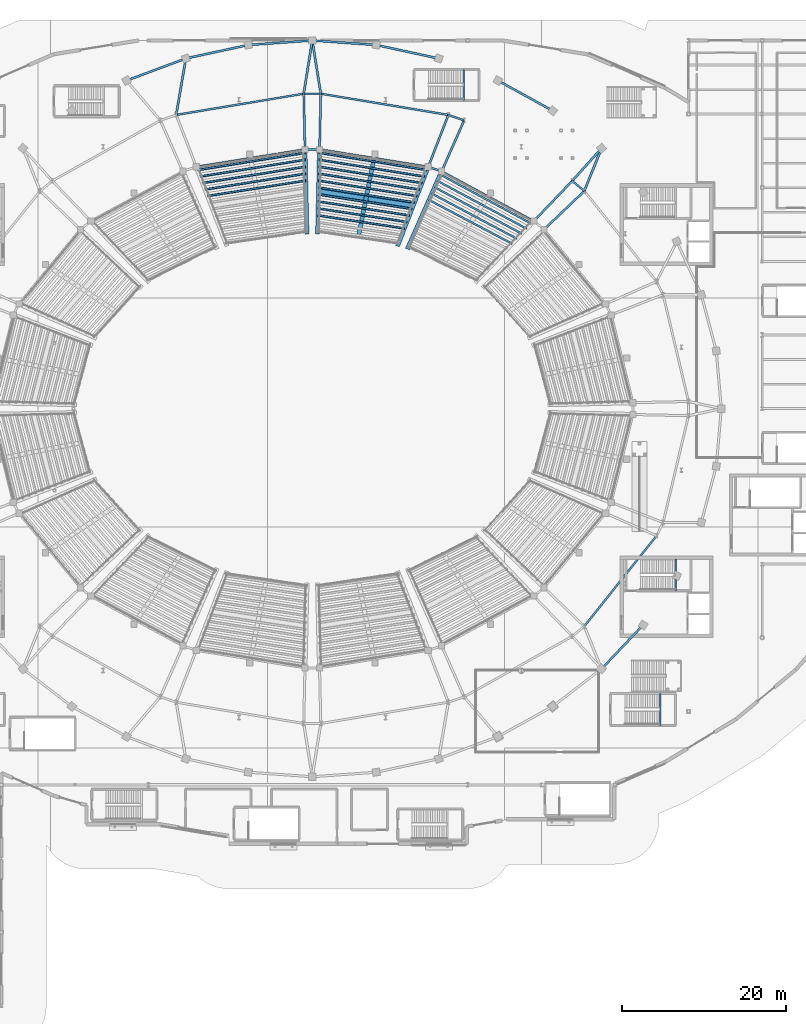
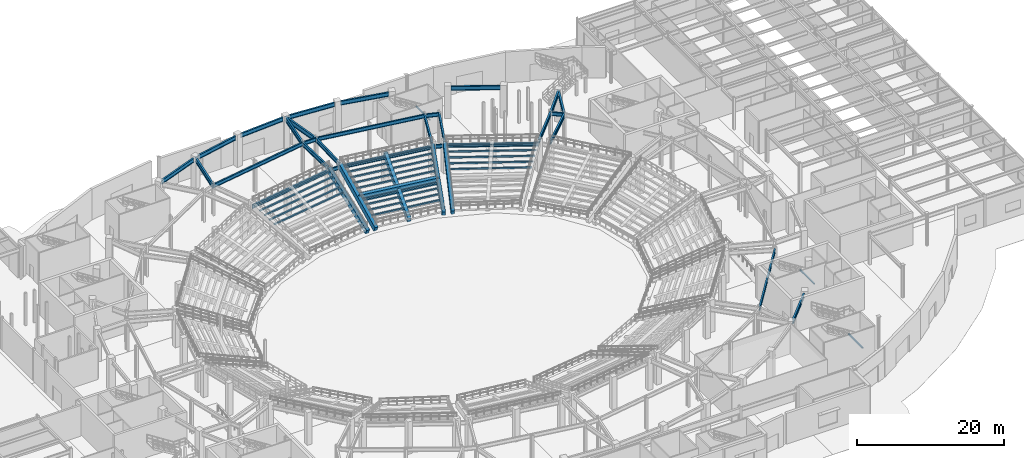
# One storey, part 37 of 79: 58 beams.
"""IFC4 building model written with IfcOpenShell, lengths in metres."""

from ifc_helpers import new_model, si_unit, direction, frame, origin, origin_2d, place, context, subcontext, project, spatial, rectangle, hollow_rectangle, i_section, extrude, material, material_profile, profile_set, type_object, element, save


model = new_model("IFC4")

# Units and contexts
model_context = context("Model", 3, precision=1e-05, world=origin(), true_north=direction((0.0, 1.0)))
body_context = subcontext(model_context, "Body", "Model", "MODEL_VIEW")
ifc_project = project(units=[si_unit("LENGTHUNIT", "METRE"), si_unit("AREAUNIT", "SQUARE_METRE"), si_unit("VOLUMEUNIT", "CUBIC_METRE"), si_unit("PLANEANGLEUNIT", "RADIAN"), si_unit("MASSUNIT", "GRAM", prefix="KILO")], contexts=[model_context])

# Site, building, storey
site_placement = place(None, origin())
site = spatial("IfcSite", under=ifc_project, at=site_placement, CompositionType="ELEMENT")
building_placement = place(site_placement, origin())
building = spatial("IfcBuilding", under=site, at=building_placement, Name="Glasvene Arena", CompositionType="ELEMENT")
storey_placement = place(building_placement, origin())
storey = spatial("IfcBuildingStorey", under=building, at=storey_placement, Name="L00", CompositionType="ELEMENT", Elevation=0.0)

# Beams
ifc_material_1 = material(Name="Steel S355J2", Category="steel")
ifc_material_profile_1 = material_profile(ifc_material_1, i_section(OverallWidth=0.228271484375, OverallDepth=0.607666015625, WebThickness=0.010986328125, FlangeThickness=0.017333984375, FilletRadius=0.0126953125, at=origin_2d()), Name="UKB 610x229x113")
ifc_profile_set_1 = profile_set([ifc_material_profile_1], Name="Steel S355J2")
beam_type_1 = type_object("IfcBeamType", Name="BM-GIRD-610", PredefinedType="BEAM", material=ifc_profile_set_1)
beam_1_placement = place(storey_placement, frame((125.256591796875, 99.59912109375, 4.81494140625), z_axis=(-0.766930434436, 0.641730246082, 0.0), x_axis=(-0.641730246082, -0.766930434436, 0.0)))
element("IfcBeam", 1, at=beam_1_placement, inside=storey, type_object=beam_type_1, Name="Concourse inner ring girder L00-04", PredefinedType="BEAM", context=body_context, shape_type="SweptSolid", body=[
    extrude(i_section(OverallWidth=0.228271484375, OverallDepth=0.607666015625, WebThickness=0.010986328125, FlangeThickness=0.017333984375, FilletRadius=0.0126953125, at=origin_2d()), origin(), (0.0, 0.0, 1.0), 1.924560546875),
])
beam_2_placement = place(storey_placement, frame((119.08251953125, 95.918212890625, 4.35009765625), z_axis=(-0.879784979892, 0.475371843042, 0.0), x_axis=(-0.475371843042, -0.879784979892, 0.0)))
element("IfcBeam", 2, at=beam_2_placement, inside=storey, type_object=beam_type_1, Name="Mid-bowl ring girder L00-05", PredefinedType="BEAM", context=body_context, shape_type="SweptSolid", body=[
    extrude(i_section(OverallWidth=0.228271484375, OverallDepth=0.607666015625, WebThickness=0.010986328125, FlangeThickness=0.017333984375, FilletRadius=0.0126953125, at=origin_2d()), origin(), (0.0, 0.0, 1.0), 12.802490234375),
])
beam_3_placement = place(storey_placement, frame((110.56298828125, 108.225830078125, 4.81494140625), z_axis=(-0.944798184006, 0.327652852114, 0.0), x_axis=(-0.327652852114, -0.944798184006, 0.0)))
element("IfcBeam", 3, at=beam_3_placement, inside=storey, type_object=beam_type_1, Name="Concourse inner ring girder L00-06", PredefinedType="BEAM", context=body_context, shape_type="SweptSolid", body=[
    extrude(i_section(OverallWidth=0.228271484375, OverallDepth=0.607666015625, WebThickness=0.010986328125, FlangeThickness=0.017333984375, FilletRadius=0.0126953125, at=origin_2d()), origin(), (0.0, 0.0, 1.0), 2.040771484375),
])
beam_4_placement = place(storey_placement, frame((107.819091796875, 102.004150390625, 4.35009765625), z_axis=(-0.948203248213, 0.317664288326, 0.0), x_axis=(-0.317664288326, -0.948203248213, 0.0)))
element("IfcBeam", 4, at=beam_4_placement, inside=storey, type_object=beam_type_1, Name="Mid-bowl ring girder L00-06", PredefinedType="BEAM", context=body_context, shape_type="SweptSolid", body=[
    extrude(i_section(OverallWidth=0.228271484375, OverallDepth=0.607666015625, WebThickness=0.010986328125, FlangeThickness=0.017333984375, FilletRadius=0.0126953125, at=origin_2d()), origin(), (0.0, 0.0, 1.0), 1.733154296875),
])
beam_5_placement = place(storey_placement, frame((108.634765625, 108.89453125, 4.81494140625), z_axis=(-0.986425216298, 0.164211122194, 0.0), x_axis=(-0.164211122194, -0.986425216298, 0.0)))
element("IfcBeam", 5, at=beam_5_placement, inside=storey, type_object=beam_type_1, Name="Concourse inner ring girder L00-07", PredefinedType="BEAM", context=body_context, shape_type="SweptSolid", body=[
    extrude(i_section(OverallWidth=0.228271484375, OverallDepth=0.607666015625, WebThickness=0.010986328125, FlangeThickness=0.017333984375, FilletRadius=0.0126953125, at=origin_2d()), origin(), (0.0, 0.0, 1.0), 15.8056640625),
])
beam_6_placement = place(storey_placement, frame((106.17578125, 102.5546875, 4.35009765625), z_axis=(-0.987308283351, 0.15881547036, 0.0), x_axis=(-0.15881547036, -0.987308283351, 0.0)))
element("IfcBeam", 6, at=beam_6_placement, inside=storey, type_object=beam_type_1, Name="Mid-bowl ring girder L00-07", PredefinedType="BEAM", context=body_context, shape_type="SweptSolid", body=[
    extrude(i_section(OverallWidth=0.228271484375, OverallDepth=0.607666015625, WebThickness=0.010986328125, FlangeThickness=0.017333984375, FilletRadius=0.0126953125, at=origin_2d()), origin(), (0.0, 0.0, 1.0), 13.457275390625),
])
beam_7_placement = place(storey_placement, frame((93.043701171875, 111.489990234375, 4.81494140625), z_axis=(-1.0, 0.0, 0.0), x_axis=(0.0, -1.0, 0.0)))
element("IfcBeam", 7, at=beam_7_placement, inside=storey, type_object=beam_type_1, Name="Concourse inner ring girder L00-08", PredefinedType="BEAM", context=body_context, shape_type="SweptSolid", body=[
    extrude(i_section(OverallWidth=0.228271484375, OverallDepth=0.607666015625, WebThickness=0.010986328125, FlangeThickness=0.017333984375, FilletRadius=0.0126953125, at=origin_2d()), origin(), (0.0, 0.0, 1.0), 2.08740234375),
])
beam_8_placement = place(storey_placement, frame((92.889404296875, 104.69189453125, 4.35009765625), z_axis=(-1.0, 0.0, 0.0), x_axis=(0.0, -1.0, 0.0)))
element("IfcBeam", 8, at=beam_8_placement, inside=storey, type_object=beam_type_1, Name="Mid-bowl ring girder L00-08", PredefinedType="BEAM", context=body_context, shape_type="SweptSolid", body=[
    extrude(i_section(OverallWidth=0.228271484375, OverallDepth=0.607666015625, WebThickness=0.010986328125, FlangeThickness=0.017333984375, FilletRadius=0.0126953125, at=origin_2d()), origin(), (0.0, 0.0, 1.0), 1.77880859375),
])
beam_9_placement = place(storey_placement, frame((90.956298828125, 111.489990234375, 4.81494140625), z_axis=(-0.986425216298, -0.164211122194, 0.0), x_axis=(0.164211122194, -0.986425216298, 0.0)))
element("IfcBeam", 9, at=beam_9_placement, inside=storey, type_object=beam_type_1, Name="Concourse inner ring girder L00-09", PredefinedType="BEAM", context=body_context, shape_type="SweptSolid", body=[
    extrude(i_section(OverallWidth=0.228271484375, OverallDepth=0.607666015625, WebThickness=0.010986328125, FlangeThickness=0.017333984375, FilletRadius=0.0126953125, at=origin_2d()), origin(), (0.0, 0.0, 1.0), 15.8056640625),
])
beam_10_placement = place(storey_placement, frame((91.110595703125, 104.69189453125, 4.35009765625), z_axis=(-0.987308283351, -0.15881547036, 0.0), x_axis=(0.15881547036, -0.987308283351, 0.0)))
element("IfcBeam", 10, at=beam_10_placement, inside=storey, type_object=beam_type_1, Name="Mid-bowl ring girder L00-09", PredefinedType="BEAM", context=body_context, shape_type="SweptSolid", body=[
    extrude(i_section(OverallWidth=0.228271484375, OverallDepth=0.607666015625, WebThickness=0.010986328125, FlangeThickness=0.017333984375, FilletRadius=0.0126953125, at=origin_2d()), origin(), (0.0, 0.0, 1.0), 13.457275390625),
])
beam_11_placement = place(storey_placement, frame((125.256591796875, 46.40087890625, 4.81494140625), z_axis=(0.623899670594, 0.781504447226, 0.0), x_axis=(-0.781504447226, 0.623899670594, 0.0)))
element("IfcBeam", 11, at=beam_11_placement, inside=storey, type_object=beam_type_1, Name="Concourse inner ring girder L00-29", PredefinedType="BEAM", context=body_context, shape_type="SweptSolid", body=[
    extrude(i_section(OverallWidth=0.228271484375, OverallDepth=0.607666015625, WebThickness=0.010986328125, FlangeThickness=0.017333984375, FilletRadius=0.0126953125, at=origin_2d()), origin(), (0.0, 0.0, 1.0), 14.1552734375),
])
ifc_material_profile_2 = material_profile(ifc_material_1, i_section(OverallWidth=0.253662109375, OverallDepth=0.68359375, WebThickness=0.012451171875, FlangeThickness=0.01904296875, FilletRadius=0.01513671875, at=origin_2d()), Name="UKB 686x254x140")
ifc_profile_set_2 = profile_set([ifc_material_profile_2], Name="Steel S355J2")
beam_type_2 = type_object("IfcBeamType", Name="BM-GIRD-686", PredefinedType="BEAM", material=ifc_profile_set_2)
beam_12_placement = place(storey_placement, frame((121.021484375, 109.608642578125, 4.7783203125), z_axis=(-0.875645230087, 0.482954895436, 0.0), x_axis=(-0.482954895436, -0.875645230087, 0.0)))
element("IfcBeam", 12, at=beam_12_placement, inside=storey, type_object=beam_type_2, Name="Bowl ring chord beam L00-07", PredefinedType="BEAM", context=body_context, shape_type="SweptSolid", body=[
    extrude(i_section(OverallWidth=0.253662109375, OverallDepth=0.68359375, WebThickness=0.012451171875, FlangeThickness=0.01904296875, FilletRadius=0.01513671875, at=origin_2d()), origin(), (0.0, 0.0, 1.0), 6.799560546875),
])
beam_13_placement = place(storey_placement, frame((107.040283203125, 115.88623046875, 4.7783203125), z_axis=(-0.977438814508, 0.211218758382, 0.0), x_axis=(-0.211218758382, -0.977438814508, 0.0)))
element("IfcBeam", 13, at=beam_13_placement, inside=storey, type_object=beam_type_2, Name="Bowl ring chord beam L00-09", PredefinedType="BEAM", context=body_context, shape_type="SweptSolid", body=[
    extrude(i_section(OverallWidth=0.253662109375, OverallDepth=0.68359375, WebThickness=0.012451171875, FlangeThickness=0.01904296875, FilletRadius=0.01513671875, at=origin_2d()), origin(), (0.0, 0.0, 1.0), 6.96533203125),
])
for number, where, z_axis, x_axis, name in (
    (14, (99.402587890625, 117.4755859375, 4.7783203125), (-0.997501181168, 0.070649795247, 0.0), (-0.070649795247, -0.997501181168, 0.0), "Bowl ring chord beam L00-10"),
    (15, (91.5810546875, 117.97021484375, 4.7783203125), (-0.997501181168, -0.070649795247, 0.0), (0.070649795247, -0.997501181168, 0.0), "Bowl ring chord beam L00-11"),
):
    element("IfcBeam", number, at=place(storey_placement, frame(where, z_axis=z_axis, x_axis=x_axis)), inside=storey, type_object=beam_type_2, Name=name, PredefinedType="BEAM", context=body_context, shape_type="SweptSolid", body=[
        extrude(i_section(OverallWidth=0.253662109375, OverallDepth=0.68359375, WebThickness=0.012451171875, FlangeThickness=0.01904296875, FilletRadius=0.01513671875, at=origin_2d()), origin(), (0.0, 0.0, 1.0), 7.001220703125),
    ])
beam_14_placement = place(storey_placement, frame((83.767822265625, 117.357421875, 4.7783203125), z_axis=(-0.977438814508, -0.211218758382, 0.0), x_axis=(0.211218758382, -0.977438814508, 0.0)))
element("IfcBeam", 16, at=beam_14_placement, inside=storey, type_object=beam_type_2, Name="Bowl ring chord beam L00-12", PredefinedType="BEAM", context=body_context, shape_type="SweptSolid", body=[
    extrude(i_section(OverallWidth=0.253662109375, OverallDepth=0.68359375, WebThickness=0.012451171875, FlangeThickness=0.01904296875, FilletRadius=0.01513671875, at=origin_2d()), origin(), (0.0, 0.0, 1.0), 6.96533203125),
])
beam_15_placement = place(storey_placement, frame((76.15576171875, 115.65087890625, 4.7783203125), z_axis=(-0.937003971107, -0.349318705668, 0.0), x_axis=(0.349318705668, -0.937003971107, 0.0)))
element("IfcBeam", 17, at=beam_15_placement, inside=storey, type_object=beam_type_2, Name="Bowl ring chord beam L00-13", PredefinedType="BEAM", context=body_context, shape_type="SweptSolid", body=[
    extrude(i_section(OverallWidth=0.253662109375, OverallDepth=0.68359375, WebThickness=0.012451171875, FlangeThickness=0.01904296875, FilletRadius=0.01513671875, at=origin_2d()), origin(), (0.0, 0.0, 1.0), 6.89599609375),
])
beam_16_placement = place(storey_placement, frame((127.644287109375, 41.48486328125, 4.7783203125), z_axis=(0.688356315458, 0.725372720034, 0.0), x_axis=(-0.725372720034, 0.688356315458, 0.0)))
element("IfcBeam", 18, at=beam_16_placement, inside=storey, type_object=beam_type_2, Name="Bowl ring chord beam L00-36", PredefinedType="BEAM", context=body_context, shape_type="SweptSolid", body=[
    extrude(i_section(OverallWidth=0.253662109375, OverallDepth=0.68359375, WebThickness=0.012451171875, FlangeThickness=0.01904296875, FilletRadius=0.01513671875, at=origin_2d()), origin(), (0.0, 0.0, 1.0), 6.5625),
])
beam_17_placement = place(storey_placement, frame((120.34033203125, 94.90087890625, 4.7783203125), z_axis=(0.722955223934, 0.690894886496, 0.0), x_axis=(-0.690894886496, 0.722955223934, 0.0)))
element("IfcBeam", 19, at=beam_17_placement, inside=storey, type_object=beam_type_2, Name="Mid-to-rear radial girder L00-04", PredefinedType="BEAM", context=body_context, shape_type="SweptSolid", body=[
    extrude(i_section(OverallWidth=0.253662109375, OverallDepth=0.68359375, WebThickness=0.012451171875, FlangeThickness=0.01904296875, FilletRadius=0.01513671875, at=origin_2d()), origin(), (0.0, 0.0, 1.0), 6.80029296875),
])
for number, where, z_axis, x_axis, name in (
    (20, (119.08251953125, 95.918212890625, 4.7783203125), (0.690894054314, 0.722956019211, 0.0), (-0.722956019211, 0.690894054314, 0.0), "Mid-to-rear radial girder L00-05"),
    (21, (107.819091796875, 102.004150390625, 4.7783203125), (0.403521754761, 0.914970050567, 0.0), (-0.914970050567, 0.403521754761, 0.0), "Mid-to-rear radial girder L00-06"),
):
    element("IfcBeam", number, at=place(storey_placement, frame(where, z_axis=z_axis, x_axis=x_axis)), inside=storey, type_object=beam_type_2, Name=name, PredefinedType="BEAM", context=body_context, shape_type="SweptSolid", body=[
        extrude(i_section(OverallWidth=0.253662109375, OverallDepth=0.68359375, WebThickness=0.012451171875, FlangeThickness=0.01904296875, FilletRadius=0.01513671875, at=origin_2d()), origin(), (0.0, 0.0, 1.0), 6.7998046875),
    ])
beam_18_placement = place(storey_placement, frame((106.17578125, 102.5546875, 4.7783203125), z_axis=(0.361614477563, 0.932327715783, 0.0), x_axis=(-0.932327715783, 0.361614477563, 0.0)))
element("IfcBeam", 22, at=beam_18_placement, inside=storey, type_object=beam_type_2, Name="Mid-to-rear radial girder L00-07", PredefinedType="BEAM", context=body_context, shape_type="SweptSolid", body=[
    extrude(i_section(OverallWidth=0.253662109375, OverallDepth=0.68359375, WebThickness=0.012451171875, FlangeThickness=0.01904296875, FilletRadius=0.01513671875, at=origin_2d()), origin(), (0.0, 0.0, 1.0), 6.800048828125),
])
for number, where, z_axis, x_axis, name in (
    (23, (92.889404296875, 104.69189453125, 4.7783203125), (0.022691229062, 0.999742520914, 0.0), (-0.999742520914, 0.022691229062, 0.0), "Mid-to-rear radial girder L00-08"),
    (24, (91.110595703125, 104.69189453125, 4.7783203125), (-0.022691229062, 0.999742520914, 0.0), (-0.999742520914, -0.022691229062, 0.0), "Mid-to-rear radial girder L00-09"),
):
    element("IfcBeam", number, at=place(storey_placement, frame(where, z_axis=z_axis, x_axis=x_axis)), inside=storey, type_object=beam_type_2, Name=name, PredefinedType="BEAM", context=body_context, shape_type="SweptSolid", body=[
        extrude(i_section(OverallWidth=0.253662109375, OverallDepth=0.68359375, WebThickness=0.012451171875, FlangeThickness=0.01904296875, FilletRadius=0.01513671875, at=origin_2d()), origin(), (0.0, 0.0, 1.0), 6.7998046875),
    ])
ifc_material_profile_3 = material_profile(ifc_material_1, i_section(OverallWidth=0.2666015625, OverallDepth=0.76220703125, WebThickness=0.014404296875, FlangeThickness=0.021484375, FilletRadius=0.0166015625, at=origin_2d()), Name="UKB 762x267x173")
ifc_profile_set_3 = profile_set([ifc_material_profile_3], Name="Steel S355J2")
beam_type_3 = type_object("IfcBeamType", Name="BM-GIRD-762", PredefinedType="BEAM", material=ifc_profile_set_3)
beam_19_placement = place(storey_placement, frame((125.256591796875, 99.59912109375, 4.739013671875), z_axis=(0.372976095384, 0.927840952034, 0.0), x_axis=(-0.927840952034, 0.372976095384, 0.0)))
element("IfcBeam", 25, at=beam_19_placement, inside=storey, type_object=beam_type_3, Name="Radial concourse girder L00-04", PredefinedType="BEAM", context=body_context, shape_type="SweptSolid", body=[
    extrude(i_section(OverallWidth=0.2666015625, OverallDepth=0.76220703125, WebThickness=0.014404296875, FlangeThickness=0.021484375, FilletRadius=0.0166015625, at=origin_2d()), origin(), (0.0, 0.0, 1.0), 5.626708984375),
])
beam_20_placement = place(storey_placement, frame((123.780517578125, 100.834228515625, 4.739013671875), z_axis=(0.667691455448, 0.744438123904, 0.0), x_axis=(-0.744438123904, 0.667691455448, 0.0)))
element("IfcBeam", 26, at=beam_20_placement, inside=storey, type_object=beam_type_3, Name="Radial concourse girder L00-05", PredefinedType="BEAM", context=body_context, shape_type="SweptSolid", body=[
    extrude(i_section(OverallWidth=0.2666015625, OverallDepth=0.76220703125, WebThickness=0.014404296875, FlangeThickness=0.021484375, FilletRadius=0.0166015625, at=origin_2d()), origin(), (0.0, 0.0, 1.0), 5.353759765625),
])
for number, where, z_axis, x_axis, name in (
    (27, (93.043701171875, 111.489990234375, 4.739013671875), (-0.158300997848, 0.987390902369, 0.0), (-0.987390902369, -0.158300997848, 0.0), "Radial concourse girder L00-08"),
    (28, (90.956298828125, 111.489990234375, 4.739013671875), (0.158300997848, 0.987390902369, 0.0), (-0.987390902369, 0.158300997848, 0.0), "Radial concourse girder L00-09"),
):
    element("IfcBeam", number, at=place(storey_placement, frame(where, z_axis=z_axis, x_axis=x_axis)), inside=storey, type_object=beam_type_3, Name=name, PredefinedType="BEAM", context=body_context, shape_type="SweptSolid", body=[
        extrude(i_section(OverallWidth=0.2666015625, OverallDepth=0.76220703125, WebThickness=0.014404296875, FlangeThickness=0.021484375, FilletRadius=0.0166015625, at=origin_2d()), origin(), (0.0, 0.0, 1.0), 6.59326171875),
    ])
beam_21_placement = place(storey_placement, frame((75.365234375, 108.89453125, 4.739013671875), z_axis=(0.169060564867, 0.985605664253, 0.0), x_axis=(-0.985605664253, 0.169060564867, 0.0)))
element("IfcBeam", 29, at=beam_21_placement, inside=storey, type_object=beam_type_3, Name="Radial concourse girder L00-10", PredefinedType="BEAM", context=body_context, shape_type="SweptSolid", body=[
    extrude(i_section(OverallWidth=0.2666015625, OverallDepth=0.76220703125, WebThickness=0.014404296875, FlangeThickness=0.021484375, FilletRadius=0.0166015625, at=origin_2d()), origin(), (0.0, 0.0, 1.0), 7.00390625),
])
ifc_material_profile_4 = material_profile(ifc_material_1, hollow_rectangle(XDim=0.199951171875, YDim=0.199951171875, WallThickness=0.010009765625, at=origin_2d()), Name="SHS 200x200x10.0")
ifc_profile_set_4 = profile_set([ifc_material_profile_4], Name="Steel S355J2")
beam_type_4 = type_object("IfcBeamType", Name="BM-LINTEL-200", PredefinedType="LINTEL", material=ifc_profile_set_4)
beam_22_placement = place(storey_placement, frame((136.419921875, 50.72998046875, 2.3798828125), z_axis=(0.0, 1.0, 0.0), x_axis=(-1.0, 0.0, 0.0)))
element("IfcBeam", 30, at=beam_22_placement, inside=storey, type_object=beam_type_4, Name="Stair half-landing support beam ST-04-L00", PredefinedType="LINTEL", context=body_context, shape_type="SweptSolid", body=[
    extrude(hollow_rectangle(XDim=0.199951171875, YDim=0.199951171875, WallThickness=0.010009765625, at=origin_2d()), origin(), (0.0, 0.0, 1.0), 3.89013671875),
])
beam_23_placement = place(storey_placement, frame((134.52001953125, 34.280029296875, 2.3798828125), z_axis=(0.0, 1.0, 0.0), x_axis=(-1.0, 0.0, 0.0)))
element("IfcBeam", 31, at=beam_23_placement, inside=storey, type_object=beam_type_4, Name="Stair half-landing support beam ST-06-L00", PredefinedType="LINTEL", context=body_context, shape_type="SweptSolid", body=[
    extrude(hollow_rectangle(XDim=0.199951171875, YDim=0.199951171875, WallThickness=0.010009765625, at=origin_2d()), origin(), (0.0, 0.0, 1.0), 3.889892578125),
])
beam_24_placement = place(storey_placement, frame((110.52001953125, 110.679931640625, 2.3798828125), z_axis=(0.0, 1.0, 0.0), x_axis=(-1.0, 0.0, 0.0)))
element("IfcBeam", 32, at=beam_24_placement, inside=storey, type_object=beam_type_4, Name="Stair half-landing support beam ST-11-L00", PredefinedType="LINTEL", context=body_context, shape_type="SweptSolid", body=[
    extrude(hollow_rectangle(XDim=0.199951171875, YDim=0.199951171875, WallThickness=0.010009765625, at=origin_2d()), origin(), (0.0, 0.0, 1.0), 3.7900390625),
])
ifc_material_2 = material(Name="Precast concrete C50/60", Category="concrete")
ifc_material_profile_5 = material_profile(ifc_material_2, rectangle(XDim=0.5, YDim=0.89990234375, at=origin_2d()), Name="RC 500x900")
ifc_profile_set_5 = profile_set([ifc_material_profile_5], Name="Precast concrete C50/60")
beam_type_5 = type_object("IfcBeamType", Name="BM-RAKER-LOW", PredefinedType="USERDEFINED", material=ifc_profile_set_5)
beam_25_placement = place(storey_placement, frame((103.702880859375, 92.671630859375, 0.2900390625), z_axis=(0.370546840935, 0.840125951458, 0.396085122618), x_axis=(-0.914956794247, 0.40355181162, 0.0)))
element("IfcBeam", 33, at=beam_25_placement, inside=storey, type_object=beam_type_5, Name="Lower bowl raker beam RKL-03-3", ObjectType="RAKER BEAM", PredefinedType="USERDEFINED", context=body_context, shape_type="SweptSolid", body=[
    extrude(rectangle(XDim=0.5, YDim=0.89990234375, at=origin_2d()), origin(), (0.0, 0.0, 1.0), 11.1083984375),
])
beam_26_placement = place(storey_placement, frame((102.487060546875, 93.044921875, 0.2900390625), z_axis=(0.332059304254, 0.856070819995, 0.396080004055), x_axis=(-0.932319645998, 0.361635282691, 0.0)))
element("IfcBeam", 34, at=beam_26_placement, inside=storey, type_object=beam_type_5, Name="Lower bowl raker beam RKL-04-1", ObjectType="RAKER BEAM", PredefinedType="USERDEFINED", context=body_context, shape_type="SweptSolid", body=[
    extrude(rectangle(XDim=0.5, YDim=0.89990234375, at=origin_2d()), origin(), (0.0, 0.0, 1.0), 11.108642578125),
])
beam_27_placement = place(storey_placement, frame((97.65771484375, 94.0869140625, 0.27001953125), z_axis=(0.179120984677, 0.900571959279, 0.396088145503), x_axis=(-0.980788180126, 0.195075743558, 0.0)))
element("IfcBeam", 35, at=beam_27_placement, inside=storey, type_object=beam_type_5, Name="Lower bowl raker beam RKL-04-2", ObjectType="RAKER BEAM", PredefinedType="USERDEFINED", context=body_context, shape_type="SweptSolid", body=[
    extrude(rectangle(XDim=0.5, YDim=0.89990234375, at=origin_2d()), origin(), (0.0, 0.0, 1.0), 11.1083984375),
])
for number, where, z_axis, x_axis, name in (
    (36, (92.657958984375, 94.494384765625, 0.2900390625), (0.020834709204, 0.917979924827, 0.396079250287), (-0.9997425394, 0.022690414598, 0.0), "Lower bowl raker beam RKL-04-3"),
    (37, (91.342041015625, 94.494384765625, 0.2900390625), (-0.020834709204, 0.917979924827, 0.396079250287), (-0.9997425394, -0.022690414598, 0.0), "Lower bowl raker beam RKL-05-1"),
):
    element("IfcBeam", number, at=place(storey_placement, frame(where, z_axis=z_axis, x_axis=x_axis)), inside=storey, type_object=beam_type_5, Name=name, ObjectType="RAKER BEAM", PredefinedType="USERDEFINED", context=body_context, shape_type="SweptSolid", body=[
        extrude(rectangle(XDim=0.5, YDim=0.89990234375, at=origin_2d()), origin(), (0.0, 0.0, 1.0), 11.108642578125),
    ])
ifc_material_profile_6 = material_profile(ifc_material_2, rectangle(XDim=0.60009765625, YDim=1.10009765625, at=origin_2d()), Name="RC 600x1100")
ifc_profile_set_6 = profile_set([ifc_material_profile_6], Name="Precast concrete C50/60")
beam_type_6 = type_object("IfcBeamType", Name="BM-RAKER-MID", PredefinedType="USERDEFINED", material=ifc_profile_set_6)
beam_28_placement = place(storey_placement, frame((104.331298828125, 97.7998046875, 2.3798828125), z_axis=(-0.988173467092, 0.153340141303, 0.0), x_axis=(-0.153340141303, -0.988173467092, 0.0)))
element("IfcBeam", 38, at=beam_28_placement, inside=storey, type_object=beam_type_6, Name="Lower bowl tie raker beam RKM-04", ObjectType="RAKER BEAM", PredefinedType="USERDEFINED", context=body_context, shape_type="SweptSolid", body=[
    extrude(rectangle(XDim=0.60009765625, YDim=1.10009765625, at=origin_2d()), origin(), (0.0, 0.0, 1.0), 11.696044921875),
])
ifc_material_profile_7 = material_profile(ifc_material_2, rectangle(XDim=0.219970703125, YDim=0.219970703125, at=origin_2d()), Name="RC 220x220")
ifc_profile_set_7 = profile_set([ifc_material_profile_7], Name="Precast concrete C50/60")
beam_type_7 = type_object("IfcBeamType", Name="BM-TIER-BEARER", PredefinedType="BEAM", material=ifc_profile_set_7)
beam_29_placement = place(storey_placement, frame((116.4365234375, 93.149169921875, 3.0849609375), z_axis=(-0.884852277857, 0.465871705914, 0.0), x_axis=(-0.465871705914, -0.884852277857, 0.0)))
element("IfcBeam", 39, at=beam_29_placement, inside=storey, type_object=beam_type_7, Name="Lower tier precast row bearer 03-R08", PredefinedType="BEAM", context=body_context, shape_type="SweptSolid", body=[
    extrude(rectangle(XDim=0.219970703125, YDim=0.219970703125, at=origin_2d()), origin(), (0.0, 0.0, 1.0), 11.485595703125),
])
beam_30_placement = place(storey_placement, frame((117.023681640625, 93.763671875, 3.465087890625), z_axis=(-0.883640135424, 0.46816675562, 0.0), x_axis=(-0.46816675562, -0.883640135424, 0.0)))
element("IfcBeam", 40, at=beam_30_placement, inside=storey, type_object=beam_type_7, Name="Lower tier precast row bearer 03-R09", PredefinedType="BEAM", context=body_context, shape_type="SweptSolid", body=[
    extrude(rectangle(XDim=0.219970703125, YDim=0.219970703125, at=origin_2d()), origin(), (0.0, 0.0, 1.0), 11.777587890625),
])
beam_31_placement = place(storey_placement, frame((117.611083984375, 94.378173828125, 3.844970703125), z_axis=(-0.882477211034, 0.470355155181, 0.0), x_axis=(-0.470355155181, -0.882477211034, 0.0)))
element("IfcBeam", 41, at=beam_31_placement, inside=storey, type_object=beam_type_7, Name="Lower tier precast row bearer 03-R10", PredefinedType="BEAM", context=body_context, shape_type="SweptSolid", body=[
    extrude(rectangle(XDim=0.219970703125, YDim=0.219970703125, at=origin_2d()), origin(), (0.0, 0.0, 1.0), 12.070068359375),
])
beam_32_placement = place(storey_placement, frame((118.1982421875, 94.99267578125, 4.22509765625), z_axis=(-0.881368087767, 0.472430199994, 0.0), x_axis=(-0.472430199994, -0.881368087767, 0.0)))
element("IfcBeam", 42, at=beam_32_placement, inside=storey, type_object=beam_type_7, Name="Lower tier precast row bearer 03-R11", PredefinedType="BEAM", context=body_context, shape_type="SweptSolid", body=[
    extrude(rectangle(XDim=0.219970703125, YDim=0.219970703125, at=origin_2d()), origin(), (0.0, 0.0, 1.0), 12.3623046875),
])
beam_33_placement = place(storey_placement, frame((118.785400390625, 95.607177734375, 4.60498046875), z_axis=(-0.880297585469, 0.474421922994, 0.0), x_axis=(-0.474421922994, -0.880297585469, 0.0)))
element("IfcBeam", 43, at=beam_33_placement, inside=storey, type_object=beam_type_7, Name="Lower tier precast row bearer 03-R12", PredefinedType="BEAM", context=body_context, shape_type="SweptSolid", body=[
    extrude(rectangle(XDim=0.219970703125, YDim=0.219970703125, at=origin_2d()), origin(), (0.0, 0.0, 1.0), 12.65478515625),
])
beam_34_placement = place(storey_placement, frame((103.25390625, 95.021484375, 1.18505859375), z_axis=(-0.988793541595, 0.149289423938, 0.0), x_axis=(-0.149289423938, -0.988793541595, 0.0)))
element("IfcBeam", 44, at=beam_34_placement, inside=storey, type_object=beam_type_7, Name="Lower tier precast row bearer 04-R03", PredefinedType="BEAM", context=body_context, shape_type="SweptSolid", body=[
    extrude(rectangle(XDim=0.219970703125, YDim=0.219970703125, at=origin_2d()), origin(), (0.0, 0.0, 1.0), 10.66748046875),
])
beam_35_placement = place(storey_placement, frame((103.56103515625, 95.81396484375, 1.56494140625), z_axis=(-0.988608680389, 0.150508727517, 0.0), x_axis=(-0.150508727517, -0.988608680389, 0.0)))
element("IfcBeam", 45, at=beam_35_placement, inside=storey, type_object=beam_type_7, Name="Lower tier precast row bearer 04-R04", PredefinedType="BEAM", context=body_context, shape_type="SweptSolid", body=[
    extrude(rectangle(XDim=0.219970703125, YDim=0.219970703125, at=origin_2d()), origin(), (0.0, 0.0, 1.0), 10.96044921875),
])
beam_36_placement = place(storey_placement, frame((103.868408203125, 96.6064453125, 1.945068359375), z_axis=(-0.988429309162, 0.151682236237, 0.0), x_axis=(-0.151682236237, -0.988429309162, 0.0)))
element("IfcBeam", 46, at=beam_36_placement, inside=storey, type_object=beam_type_7, Name="Lower tier precast row bearer 04-R05", PredefinedType="BEAM", context=body_context, shape_type="SweptSolid", body=[
    extrude(rectangle(XDim=0.219970703125, YDim=0.219970703125, at=origin_2d()), origin(), (0.0, 0.0, 1.0), 11.25390625),
])
beam_37_placement = place(storey_placement, frame((104.17578125, 97.39892578125, 2.324951171875), z_axis=(-0.988257766045, 0.1527959026, 0.0), x_axis=(-0.1527959026, -0.988257766045, 0.0)))
element("IfcBeam", 47, at=beam_37_placement, inside=storey, type_object=beam_type_7, Name="Lower tier precast row bearer 04-R06", PredefinedType="BEAM", context=body_context, shape_type="SweptSolid", body=[
    extrude(rectangle(XDim=0.219970703125, YDim=0.219970703125, at=origin_2d()), origin(), (0.0, 0.0, 1.0), 11.54736328125),
])
beam_38_placement = place(storey_placement, frame((104.4833984375, 98.19140625, 2.705078125), z_axis=(-0.988097185241, 0.153830921857, 0.0), x_axis=(-0.153830921857, -0.988097185241, 0.0)))
element("IfcBeam", 48, at=beam_38_placement, inside=storey, type_object=beam_type_7, Name="Lower tier precast row bearer 04-R07", PredefinedType="BEAM", context=body_context, shape_type="SweptSolid", body=[
    extrude(rectangle(XDim=0.219970703125, YDim=0.219970703125, at=origin_2d()), origin(), (0.0, 0.0, 1.0), 11.841064453125),
])
beam_39_placement = place(storey_placement, frame((104.790771484375, 98.98388671875, 3.0849609375), z_axis=(-0.98793981089, 0.154838399817, 0.0), x_axis=(-0.154838399817, -0.98793981089, 0.0)))
element("IfcBeam", 49, at=beam_39_placement, inside=storey, type_object=beam_type_7, Name="Lower tier precast row bearer 04-R08", PredefinedType="BEAM", context=body_context, shape_type="SweptSolid", body=[
    extrude(rectangle(XDim=0.219970703125, YDim=0.219970703125, at=origin_2d()), origin(), (0.0, 0.0, 1.0), 12.134521484375),
])
beam_40_placement = place(storey_placement, frame((105.097900390625, 99.7763671875, 3.465087890625), z_axis=(-0.987788437003, 0.155801167271, 0.0), x_axis=(-0.155801167271, -0.987788437003, 0.0)))
element("IfcBeam", 50, at=beam_40_placement, inside=storey, type_object=beam_type_7, Name="Lower tier precast row bearer 04-R09", PredefinedType="BEAM", context=body_context, shape_type="SweptSolid", body=[
    extrude(rectangle(XDim=0.219970703125, YDim=0.219970703125, at=origin_2d()), origin(), (0.0, 0.0, 1.0), 12.427978515625),
])
beam_41_placement = place(storey_placement, frame((105.405517578125, 100.56884765625, 3.844970703125), z_axis=(-0.987644110805, 0.156713465895, 0.0), x_axis=(-0.156713465895, -0.987644110805, 0.0)))
element("IfcBeam", 51, at=beam_41_placement, inside=storey, type_object=beam_type_7, Name="Lower tier precast row bearer 04-R10", PredefinedType="BEAM", context=body_context, shape_type="SweptSolid", body=[
    extrude(rectangle(XDim=0.219970703125, YDim=0.219970703125, at=origin_2d()), origin(), (0.0, 0.0, 1.0), 12.7216796875),
])
beam_42_placement = place(storey_placement, frame((105.712890625, 101.361328125, 4.22509765625), z_axis=(-0.987507966255, 0.15756908511, 0.0), x_axis=(-0.15756908511, -0.987507966255, 0.0)))
element("IfcBeam", 52, at=beam_42_placement, inside=storey, type_object=beam_type_7, Name="Lower tier precast row bearer 04-R11", PredefinedType="BEAM", context=body_context, shape_type="SweptSolid", body=[
    extrude(rectangle(XDim=0.219970703125, YDim=0.219970703125, at=origin_2d()), origin(), (0.0, 0.0, 1.0), 13.01513671875),
])
beam_43_placement = place(storey_placement, frame((106.020263671875, 102.15380859375, 4.60498046875), z_axis=(-0.987374264433, 0.158404740885, 0.0), x_axis=(-0.158404740885, -0.987374264433, 0.0)))
element("IfcBeam", 53, at=beam_43_placement, inside=storey, type_object=beam_type_7, Name="Lower tier precast row bearer 04-R12", PredefinedType="BEAM", context=body_context, shape_type="SweptSolid", body=[
    extrude(rectangle(XDim=0.219970703125, YDim=0.219970703125, at=origin_2d()), origin(), (0.0, 0.0, 1.0), 13.30859375),
])
beam_44_placement = place(storey_placement, frame((91.197509765625, 100.86279296875, 3.0849609375), z_axis=(-0.98793981089, -0.154838399817, 0.0), x_axis=(0.154838399817, -0.98793981089, 0.0)))
element("IfcBeam", 54, at=beam_44_placement, inside=storey, type_object=beam_type_7, Name="Lower tier precast row bearer 05-R08", PredefinedType="BEAM", context=body_context, shape_type="SweptSolid", body=[
    extrude(rectangle(XDim=0.219970703125, YDim=0.219970703125, at=origin_2d()), origin(), (0.0, 0.0, 1.0), 12.134521484375),
])
beam_45_placement = place(storey_placement, frame((91.17822265625, 101.712646484375, 3.465087890625), z_axis=(-0.987788437003, -0.155801167271, 0.0), x_axis=(0.155801167271, -0.987788437003, 0.0)))
element("IfcBeam", 55, at=beam_45_placement, inside=storey, type_object=beam_type_7, Name="Lower tier precast row bearer 05-R09", PredefinedType="BEAM", context=body_context, shape_type="SweptSolid", body=[
    extrude(rectangle(XDim=0.219970703125, YDim=0.219970703125, at=origin_2d()), origin(), (0.0, 0.0, 1.0), 12.427978515625),
])
beam_46_placement = place(storey_placement, frame((91.158935546875, 102.5625, 3.844970703125), z_axis=(-0.987644110805, -0.156713465895, 0.0), x_axis=(0.156713465895, -0.987644110805, 0.0)))
element("IfcBeam", 56, at=beam_46_placement, inside=storey, type_object=beam_type_7, Name="Lower tier precast row bearer 05-R10", PredefinedType="BEAM", context=body_context, shape_type="SweptSolid", body=[
    extrude(rectangle(XDim=0.219970703125, YDim=0.219970703125, at=origin_2d()), origin(), (0.0, 0.0, 1.0), 12.7216796875),
])
beam_47_placement = place(storey_placement, frame((91.1396484375, 103.412109375, 4.22509765625), z_axis=(-0.987507966255, -0.15756908511, 0.0), x_axis=(0.15756908511, -0.987507966255, 0.0)))
element("IfcBeam", 57, at=beam_47_placement, inside=storey, type_object=beam_type_7, Name="Lower tier precast row bearer 05-R11", PredefinedType="BEAM", context=body_context, shape_type="SweptSolid", body=[
    extrude(rectangle(XDim=0.219970703125, YDim=0.219970703125, at=origin_2d()), origin(), (0.0, 0.0, 1.0), 13.01513671875),
])
beam_48_placement = place(storey_placement, frame((91.120361328125, 104.261962890625, 4.60498046875), z_axis=(-0.987374264433, -0.158404740885, 0.0), x_axis=(0.158404740885, -0.987374264433, 0.0)))
element("IfcBeam", 58, at=beam_48_placement, inside=storey, type_object=beam_type_7, Name="Lower tier precast row bearer 05-R12", PredefinedType="BEAM", context=body_context, shape_type="SweptSolid", body=[
    extrude(rectangle(XDim=0.219970703125, YDim=0.219970703125, at=origin_2d()), origin(), (0.0, 0.0, 1.0), 13.30859375),
])

save(model, "model.ifc")
